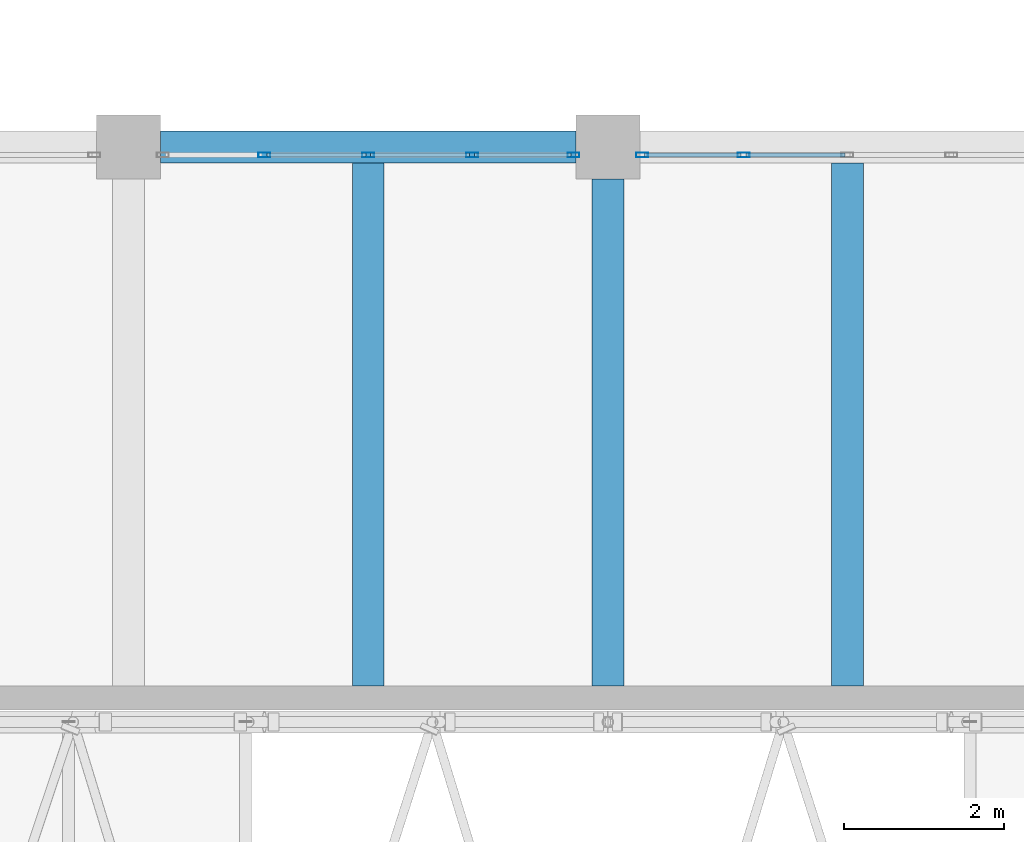
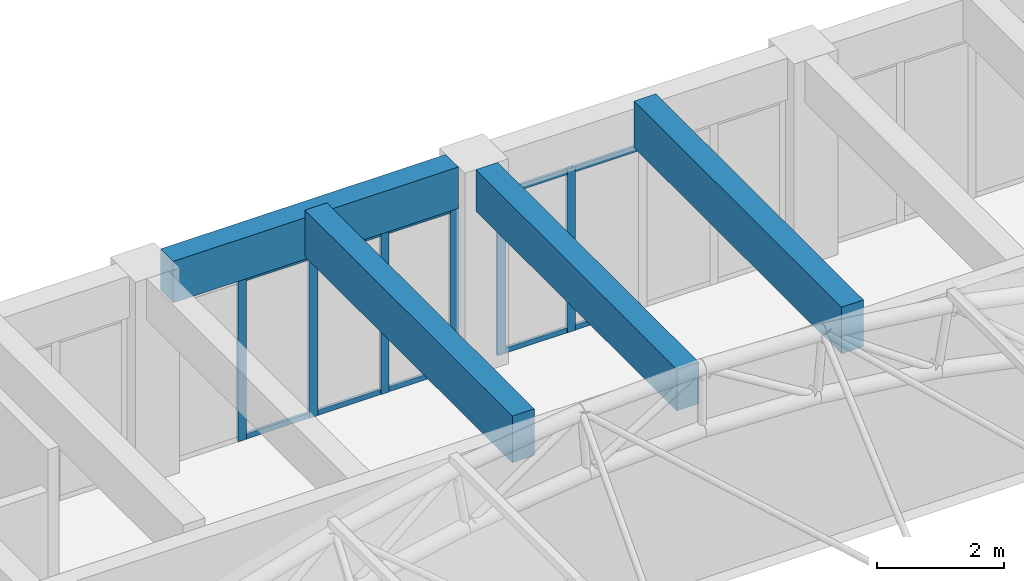
# One storey, part 13 of 92: 16 members, 4 beams, 2 elements without a shape of their own.
"""IFC4 building model written with IfcOpenShell, lengths in metres."""

from ifc_helpers import new_model, si_unit, direction, frame, origin, origin_2d, place, context, subcontext, project, spatial, rectangle, hollow_rectangle, extrude, material, material_profile, profile_set, type_object, element, aggregate, save


model = new_model("IFC4")

# Units and contexts
model_context = context("Model", 3, precision=1e-05, world=origin(), true_north=direction((0.0, 1.0)))
body_context = subcontext(model_context, "Body", "Model", "MODEL_VIEW")
ifc_project = project(units=[si_unit("LENGTHUNIT", "METRE"), si_unit("AREAUNIT", "SQUARE_METRE"), si_unit("VOLUMEUNIT", "CUBIC_METRE"), si_unit("PLANEANGLEUNIT", "RADIAN"), si_unit("MASSUNIT", "GRAM", prefix="KILO")], contexts=[model_context])

# Site, building, storey
site_placement = place(None, origin())
site = spatial("IfcSite", under=ifc_project, at=site_placement, CompositionType="ELEMENT")
building_placement = place(site_placement, origin())
building = spatial("IfcBuilding", under=site, at=building_placement, Name="Laocheng Heights Fire and Rescue Headquarters", CompositionType="ELEMENT")
storey_placement = place(building_placement, frame((0.0, 0.0, 12.60009765625)))
storey = spatial("IfcBuildingStorey", under=building, at=storey_placement, Name="L03", CompositionType="ELEMENT", Elevation=12.60009765625)

# Curtain wall, members
ifc_material_1 = material(Name="Aluminium unitised curtain wall, low-e double glazing", Category="aluminium")
curtain_wall_type = type_object("IfcCurtainWallType", Name="CW 5200 x 3150 GALLERY UNIT", PredefinedType="NOTDEFINED", material=ifc_material_1)
curtain_wall_1_placement = place(storey_placement, origin())
curtain_wall_1 = element("IfcCurtainWall", 1, at=curtain_wall_1_placement, inside=storey, type_object=curtain_wall_type, Name="Gallery north glazing L03", PredefinedType="NOTDEFINED")
ifc_material_2 = material(Name="Aluminium 6063-T5 extrusion", Category="aluminium")
ifc_material_profile_1 = material_profile(ifc_material_2, hollow_rectangle(XDim=0.06005859375, YDim=0.14990234375, WallThickness=0.0029296875, at=origin_2d()), Name="AL MULLION 150x60x3")
ifc_profile_set_1 = profile_set([ifc_material_profile_1], Name="Aluminium 6063-T5 extrusion")
member_type_1 = type_object("IfcMemberType", Name="AL CURTAIN WALL MULLION 150x60x3", PredefinedType="MULLION", material=ifc_profile_set_1)
member_1_placement = place(storey_placement, frame((31.699951171875, 28.699951171875, 0.0), z_axis=(0.0, 0.0, 1.0), x_axis=(0.0, 1.0, 0.0)))
member_1 = element("IfcMember", 2, at=member_1_placement, type_object=member_type_1, Name="X6-E mullion 2", PredefinedType="MULLION", context=body_context, shape_type="SweptSolid", body=[
    extrude(hollow_rectangle(XDim=0.06005859375, YDim=0.14990234375, WallThickness=0.0029296875, at=origin_2d()), origin(), (0.0, 0.0, 1.0), 3.14990234375),
])
member_2_placement = place(storey_placement, frame((33.0, 28.699951171875, 0.0), z_axis=(0.0, 0.0, 1.0), x_axis=(0.0, 1.0, 0.0)))
member_2 = element("IfcMember", 3, at=member_2_placement, type_object=member_type_1, Name="X6-E mullion 3", PredefinedType="MULLION", context=body_context, shape_type="SweptSolid", body=[
    extrude(hollow_rectangle(XDim=0.06005859375, YDim=0.14990234375, WallThickness=0.0029296875, at=origin_2d()), origin(), (0.0, 0.0, 1.0), 3.14990234375),
])
member_3_placement = place(storey_placement, frame((34.300048828125, 28.699951171875, 0.0), z_axis=(0.0, 0.0, 1.0), x_axis=(0.0, 1.0, 0.0)))
member_3 = element("IfcMember", 4, at=member_3_placement, type_object=member_type_1, Name="X6-E mullion 4", PredefinedType="MULLION", context=body_context, shape_type="SweptSolid", body=[
    extrude(hollow_rectangle(XDim=0.06005859375, YDim=0.14990234375, WallThickness=0.0029296875, at=origin_2d()), origin(), (0.0, 0.0, 1.0), 3.14990234375),
])
member_4_placement = place(storey_placement, frame((35.570068359375, 28.699951171875, 0.0), z_axis=(0.0, 0.0, 1.0), x_axis=(0.0, 1.0, 0.0)))
member_4 = element("IfcMember", 5, at=member_4_placement, type_object=member_type_1, Name="X6-E mullion 5", PredefinedType="MULLION", context=body_context, shape_type="SweptSolid", body=[
    extrude(hollow_rectangle(XDim=0.06005859375, YDim=0.14990234375, WallThickness=0.0029296875, at=origin_2d()), origin(), (0.0, 0.0, 1.0), 3.14990234375),
])

curtain_wall_2_placement = place(storey_placement, origin())
curtain_wall_2 = element("IfcCurtainWall", 6, at=curtain_wall_2_placement, inside=storey, type_object=curtain_wall_type, Name="Gallery north glazing L03", PredefinedType="NOTDEFINED")
member_5_placement = place(storey_placement, frame((36.429931640625, 28.699951171875, 0.0), z_axis=(0.0, 0.0, 1.0), x_axis=(0.0, 1.0, 0.0)))
member_5 = element("IfcMember", 7, at=member_5_placement, type_object=member_type_1, Name="X6-E mullion 1", PredefinedType="MULLION", context=body_context, shape_type="SweptSolid", body=[
    extrude(hollow_rectangle(XDim=0.06005859375, YDim=0.14990234375, WallThickness=0.0029296875, at=origin_2d()), origin(), (0.0, 0.0, 1.0), 3.14990234375),
])
member_6_placement = place(storey_placement, frame((37.699951171875, 28.699951171875, 0.0), z_axis=(0.0, 0.0, 1.0), x_axis=(0.0, 1.0, 0.0)))
member_6 = element("IfcMember", 8, at=member_6_placement, type_object=member_type_1, Name="X6-E mullion 2", PredefinedType="MULLION", context=body_context, shape_type="SweptSolid", body=[
    extrude(hollow_rectangle(XDim=0.06005859375, YDim=0.14990234375, WallThickness=0.0029296875, at=origin_2d()), origin(), (0.0, 0.0, 1.0), 3.14990234375),
])

# Member
ifc_material_3 = material(Name="Aluminium 6063-T5 extrusion", Category="aluminium")
ifc_material_profile_2 = material_profile(ifc_material_3, hollow_rectangle(XDim=0.050048828125, YDim=0.10009765625, WallThickness=0.0029296875, at=origin_2d()), Name="AL TRANSOM 100x50x3")
ifc_profile_set_2 = profile_set([ifc_material_profile_2], Name="Aluminium 6063-T5 extrusion")
member_type_2 = type_object("IfcMemberType", Name="AL CURTAIN WALL TRANSOM 100x50x3", PredefinedType="USERDEFINED", material=ifc_profile_set_2)
member_7_placement = place(storey_placement, frame((31.72998046875, 28.699951171875, 0.0498046875), z_axis=(1.0, 0.0, 0.0), x_axis=(0.0, 1.0, 0.0)))
member_7 = element("IfcMember", 9, at=member_7_placement, type_object=member_type_2, Name="X6-E transom 2.1", ObjectType="TRANSOM", PredefinedType="USERDEFINED", context=body_context, shape_type="SweptSolid", body=[
    extrude(hollow_rectangle(XDim=0.050048828125, YDim=0.10009765625, WallThickness=0.0029296875, at=origin_2d()), origin(), (0.0, 0.0, 1.0), 1.239990234375),
])

member_8_placement = place(storey_placement, frame((31.72998046875, 28.699951171875, 3.099853515625), z_axis=(1.0, 0.0, 0.0), x_axis=(0.0, 1.0, 0.0)))
member_8 = element("IfcMember", 10, at=member_8_placement, type_object=member_type_2, Name="X6-E transom 2.2", ObjectType="TRANSOM", PredefinedType="USERDEFINED", context=body_context, shape_type="SweptSolid", body=[
    extrude(hollow_rectangle(XDim=0.050048828125, YDim=0.10009765625, WallThickness=0.0029296875, at=origin_2d()), origin(), (0.0, 0.0, 1.0), 1.239990234375),
])

member_9_placement = place(storey_placement, frame((33.030029296875, 28.699951171875, 0.0498046875), z_axis=(1.0, 0.0, 0.0), x_axis=(0.0, 1.0, 0.0)))
member_9 = element("IfcMember", 11, at=member_9_placement, type_object=member_type_2, Name="X6-E transom 3.1", ObjectType="TRANSOM", PredefinedType="USERDEFINED", context=body_context, shape_type="SweptSolid", body=[
    extrude(hollow_rectangle(XDim=0.050048828125, YDim=0.10009765625, WallThickness=0.0029296875, at=origin_2d()), origin(), (0.0, 0.0, 1.0), 1.239990234375),
])

member_10_placement = place(storey_placement, frame((33.030029296875, 28.699951171875, 3.099853515625), z_axis=(1.0, 0.0, 0.0), x_axis=(0.0, 1.0, 0.0)))
member_10 = element("IfcMember", 12, at=member_10_placement, type_object=member_type_2, Name="X6-E transom 3.2", ObjectType="TRANSOM", PredefinedType="USERDEFINED", context=body_context, shape_type="SweptSolid", body=[
    extrude(hollow_rectangle(XDim=0.050048828125, YDim=0.10009765625, WallThickness=0.0029296875, at=origin_2d()), origin(), (0.0, 0.0, 1.0), 1.239990234375),
])

member_11_placement = place(storey_placement, frame((34.330078125, 28.699951171875, 0.0498046875), z_axis=(1.0, 0.0, 0.0), x_axis=(0.0, 1.0, 0.0)))
member_11 = element("IfcMember", 13, at=member_11_placement, type_object=member_type_2, Name="X6-E transom 4.1", ObjectType="TRANSOM", PredefinedType="USERDEFINED", context=body_context, shape_type="SweptSolid", body=[
    extrude(hollow_rectangle(XDim=0.050048828125, YDim=0.10009765625, WallThickness=0.0029296875, at=origin_2d()), origin(), (0.0, 0.0, 1.0), 1.2099609375),
])

member_12_placement = place(storey_placement, frame((34.330078125, 28.699951171875, 3.099853515625), z_axis=(1.0, 0.0, 0.0), x_axis=(0.0, 1.0, 0.0)))
member_12 = element("IfcMember", 14, at=member_12_placement, type_object=member_type_2, Name="X6-E transom 4.2", ObjectType="TRANSOM", PredefinedType="USERDEFINED", context=body_context, shape_type="SweptSolid", body=[
    extrude(hollow_rectangle(XDim=0.050048828125, YDim=0.10009765625, WallThickness=0.0029296875, at=origin_2d()), origin(), (0.0, 0.0, 1.0), 1.2099609375),
])

aggregate(curtain_wall_1, [member_1, member_2, member_3, member_4, member_7, member_8, member_9, member_10, member_11, member_12])

member_13_placement = place(storey_placement, frame((36.4599609375, 28.699951171875, 0.0498046875), z_axis=(1.0, 0.0, 0.0), x_axis=(0.0, 1.0, 0.0)))
member_13 = element("IfcMember", 15, at=member_13_placement, type_object=member_type_2, Name="X6-E transom 1.1", ObjectType="TRANSOM", PredefinedType="USERDEFINED", context=body_context, shape_type="SweptSolid", body=[
    extrude(hollow_rectangle(XDim=0.050048828125, YDim=0.10009765625, WallThickness=0.0029296875, at=origin_2d()), origin(), (0.0, 0.0, 1.0), 1.2099609375),
])

member_14_placement = place(storey_placement, frame((36.4599609375, 28.699951171875, 3.099853515625), z_axis=(1.0, 0.0, 0.0), x_axis=(0.0, 1.0, 0.0)))
member_14 = element("IfcMember", 16, at=member_14_placement, type_object=member_type_2, Name="X6-E transom 1.2", ObjectType="TRANSOM", PredefinedType="USERDEFINED", context=body_context, shape_type="SweptSolid", body=[
    extrude(hollow_rectangle(XDim=0.050048828125, YDim=0.10009765625, WallThickness=0.0029296875, at=origin_2d()), origin(), (0.0, 0.0, 1.0), 1.2099609375),
])

member_15_placement = place(storey_placement, frame((37.72998046875, 28.699951171875, 0.0498046875), z_axis=(1.0, 0.0, 0.0), x_axis=(0.0, 1.0, 0.0)))
member_15 = element("IfcMember", 17, at=member_15_placement, type_object=member_type_2, Name="X6-E transom 2.1", ObjectType="TRANSOM", PredefinedType="USERDEFINED", context=body_context, shape_type="SweptSolid", body=[
    extrude(hollow_rectangle(XDim=0.050048828125, YDim=0.10009765625, WallThickness=0.0029296875, at=origin_2d()), origin(), (0.0, 0.0, 1.0), 1.239990234375),
])

member_16_placement = place(storey_placement, frame((37.72998046875, 28.699951171875, 3.099853515625), z_axis=(1.0, 0.0, 0.0), x_axis=(0.0, 1.0, 0.0)))
member_16 = element("IfcMember", 18, at=member_16_placement, type_object=member_type_2, Name="X6-E transom 2.2", ObjectType="TRANSOM", PredefinedType="USERDEFINED", context=body_context, shape_type="SweptSolid", body=[
    extrude(hollow_rectangle(XDim=0.050048828125, YDim=0.10009765625, WallThickness=0.0029296875, at=origin_2d()), origin(), (0.0, 0.0, 1.0), 1.239990234375),
])

aggregate(curtain_wall_2, [member_5, member_6, member_13, member_14, member_15, member_16])

# Beams
ifc_material_4 = material(Name="Concrete C40", Category="concrete")
ifc_material_profile_3 = material_profile(ifc_material_4, rectangle(XDim=0.39990234375, YDim=0.800048828125, at=origin_2d()), Name="RC BEAM 400x800 GALLERY FLOOR")
ifc_profile_set_3 = profile_set([ifc_material_profile_3], Name="Concrete C40")
beam_type_1 = type_object("IfcBeamType", Name="RC BEAM 400x800 GALLERY FLOOR", PredefinedType="BEAM", material=ifc_profile_set_3)
beam_1_placement = place(storey_placement, frame((30.39990234375, 28.800048828125, 3.5498046875), z_axis=(1.0, 0.0, 0.0), x_axis=(0.0, 1.0, 0.0)))
element("IfcBeam", 19, at=beam_1_placement, inside=storey, type_object=beam_type_1, Name="Gallery roof beam", PredefinedType="BEAM", context=body_context, shape_type="SweptSolid", body=[
    extrude(rectangle(XDim=0.39990234375, YDim=0.800048828125, at=origin_2d()), origin(), (0.0, 0.0, 1.0), 5.2001953125),
])
ifc_material_5 = material(Name="Concrete C40", Category="concrete")
ifc_material_profile_4 = material_profile(ifc_material_5, rectangle(XDim=0.39990234375, YDim=0.800048828125, at=origin_2d()), Name="RC BEAM 400x800 GALLERY ROOF")
ifc_profile_set_4 = profile_set([ifc_material_profile_4], Name="Concrete C40")
beam_type_2 = type_object("IfcBeamType", Name="RC BEAM 400x800 GALLERY ROOF", PredefinedType="BEAM", material=ifc_profile_set_4)
beam_2_placement = place(storey_placement, frame((36.0, 22.050048828125, 3.5498046875), z_axis=(0.0, 1.0, 0.0), x_axis=(-1.0, 0.0, 0.0)))
element("IfcBeam", 20, at=beam_2_placement, inside=storey, type_object=beam_type_2, Name="Gallery beam on south wall", PredefinedType="BEAM", context=body_context, shape_type="SweptSolid", body=[
    extrude(rectangle(XDim=0.39990234375, YDim=0.800048828125, at=origin_2d()), origin(), (0.0, 0.0, 1.0), 6.349853515625),
])
ifc_material_6 = material(Name="Concrete C50", Category="concrete")
ifc_material_profile_5 = material_profile(ifc_material_6, rectangle(XDim=0.39990234375, YDim=0.89990234375, at=origin_2d()), Name="RC BEAM 400x900 TRANSFER SECONDARY")
ifc_profile_set_5 = profile_set([ifc_material_profile_5], Name="Concrete C50")
beam_type_3 = type_object("IfcBeamType", Name="RC BEAM 400x900 TRANSFER SECONDARY", PredefinedType="BEAM", material=ifc_profile_set_5)
for number, where, z_axis, x_axis, name in (
    (21, (33.0, 22.050048828125, 3.64990234375), (0.0, 1.0, 0.0), (-1.0, 0.0, 0.0), "Gallery secondary beam"),
    (22, (39.0, 22.050048828125, 3.64990234375), (0.0, 1.0, 0.0), (-1.0, 0.0, 0.0), "Gallery secondary beam"),
):
    element("IfcBeam", number, at=place(storey_placement, frame(where, z_axis=z_axis, x_axis=x_axis)), inside=storey, type_object=beam_type_3, Name=name, PredefinedType="BEAM", context=body_context, shape_type="SweptSolid", body=[
        extrude(rectangle(XDim=0.39990234375, YDim=0.89990234375, at=origin_2d()), origin(), (0.0, 0.0, 1.0), 6.550048828125),
    ])

save(model, "model.ifc")
